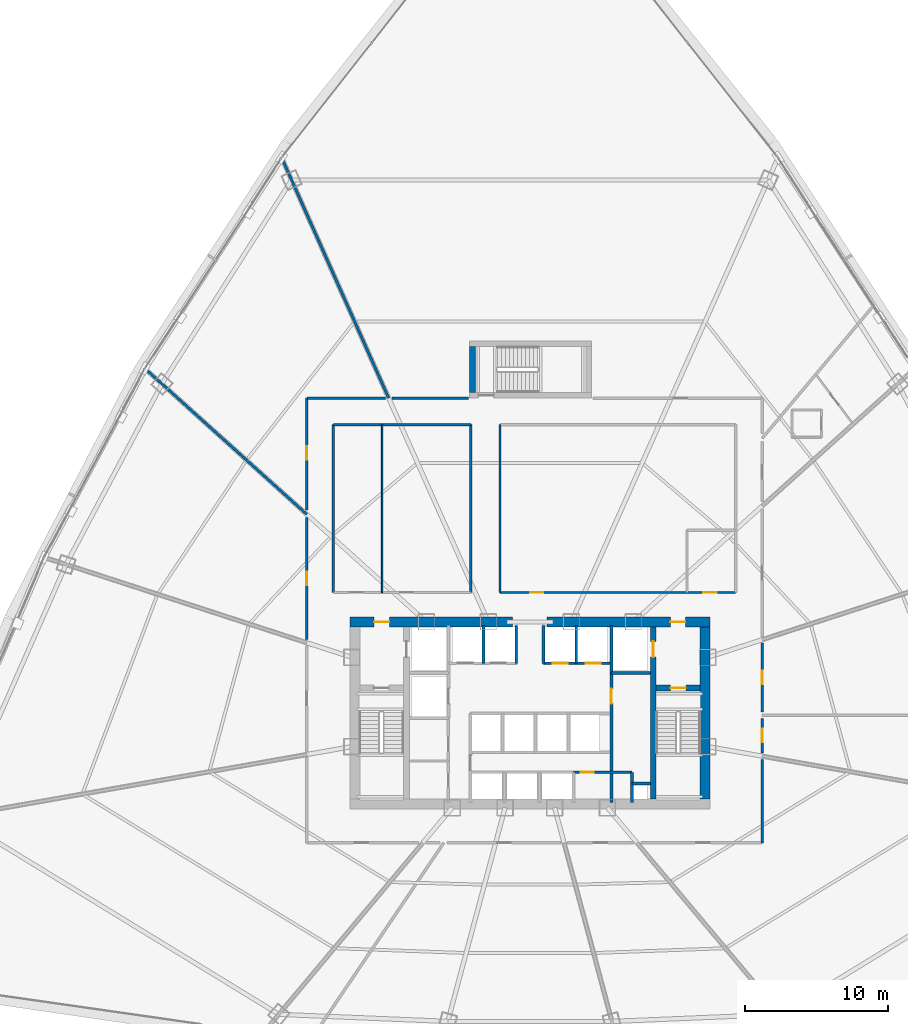
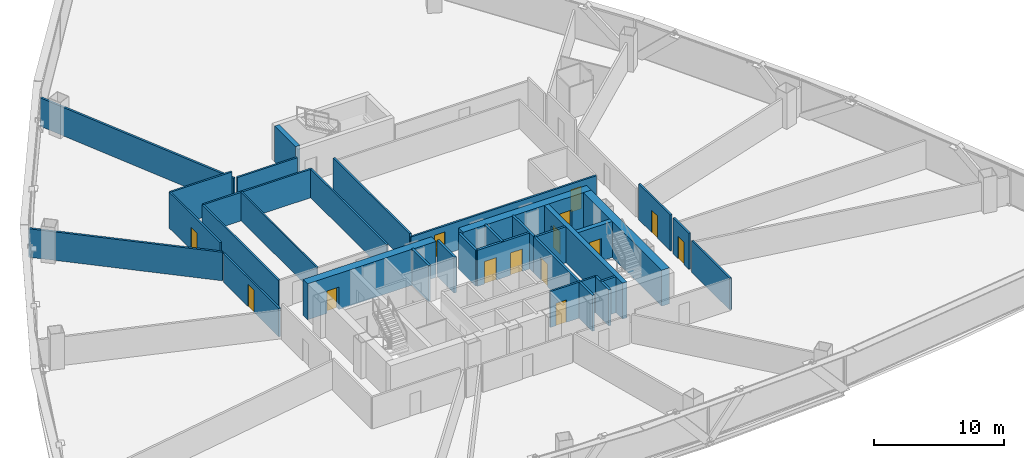
# One storey, part 36 of 42: 32 walls, 14 doors, 14 openings.
"""IFC4 building model written with IfcOpenShell, lengths in metres."""

from ifc_helpers import new_model, si_unit, direction, frame, frame_2d, origin, origin_with_axes, place, context, subcontext, project, spatial, rectangle, extrude, source, transform, mapped, material, layer, layer_set, type_object, element, fill, save


model = new_model("IFC4")

# Units and contexts
model_context = context("Model", 3, precision=1e-05, world=origin(), true_north=direction((0.0, 1.0)))
body_context = subcontext(model_context, "Body", "Model", "MODEL_VIEW")
ifc_project = project(units=[si_unit("LENGTHUNIT", "METRE"), si_unit("AREAUNIT", "SQUARE_METRE"), si_unit("VOLUMEUNIT", "CUBIC_METRE"), si_unit("PLANEANGLEUNIT", "RADIAN"), si_unit("MASSUNIT", "GRAM", prefix="KILO"), si_unit("THERMODYNAMICTEMPERATUREUNIT", "KELVIN"), si_unit("POWERUNIT", "WATT")], contexts=[model_context])

# Site, building, storey
site_placement = place(None, origin())
site = spatial("IfcSite", under=ifc_project, at=site_placement, CompositionType="ELEMENT")
building_placement = place(site_placement, origin())
building = spatial("IfcBuilding", under=site, at=building_placement, Name="Yunzhuo Pagoda Commons", CompositionType="ELEMENT")
storey_placement = place(building_placement, frame((0.0, 0.0, 48.550048828125)))
storey = spatial("IfcBuildingStorey", under=building, at=storey_placement, Name="L12", CompositionType="ELEMENT", Elevation=48.550048828125)

# Wall, opening, door
ifc_material_1 = material(Name="Concrete C60", Category="concrete")
ifc_layer_1 = layer(ifc_material_1, 0.699951171875)
ifc_layer_set_1 = layer_set([ifc_layer_1], Name="Concrete C60")
wall_type_1 = type_object("IfcWallType", Name="W-C01 Lower Core Shear Wall 700", PredefinedType="SHEAR", material=ifc_layer_set_1)
wall_1_placement = place(storey_placement, frame((35.449951171875, 40.199951171875, 0.0), z_axis=(0.0, 0.0, 1.0), x_axis=(1.0, 0.0, 0.0)))
wall_1 = element("IfcWall", 1, at=wall_1_placement, inside=storey, type_object=wall_type_1, Name="L12 core shear wall NW", PredefinedType="SHEAR", context=body_context, shape_type="SweptSolid", body=[
    extrude(rectangle(XDim=11.35009765625, YDim=0.699951171875, at=frame_2d((5.675048828125, 0.0))), origin(), (0.0, 0.0, 1.0), 3.369873046875),
])
opening_1_placement = place(wall_1_placement, frame((1.699951171875, 0.0, 0.0)))
opening_1 = element("IfcOpeningElement", 2, at=opening_1_placement, cuts=wall_1, Name="Opening D-02", PredefinedType="OPENING", context=body_context, shape_type="SweptSolid", body=[
    extrude(rectangle(XDim=1.050048828125, YDim=2.10009765625, at=frame_2d((0.52490234375, 1.050048828125))), frame((0.0, 0.35986328125, 0.0), z_axis=(0.0, -1.0, 0.0), x_axis=(1.0, 0.0, 0.0)), (0.0, 0.0, 1.0), 0.719970703125),
])
ifc_material_2 = material(Name="Galvanized fire-resisting metal leaf")
door_type_1 = type_object("IfcDoorType", Name="D-02 Firefighting Lobby & Refuge Fire Door 1050x2100", OperationType="NOTDEFINED", PredefinedType="DOOR", material=ifc_material_2)
shared_shape_1 = source(origin(), body_context, "Body", "SweptSolid", [
    extrude(rectangle(XDim=1.050048828125, YDim=2.10009765625, at=frame_2d((0.52490234375, 1.050048828125))), frame((0.0, 0.02490234375, 0.0), z_axis=(0.0, -1.0, 0.0), x_axis=(1.0, 0.0, 0.0)), (0.0, 0.0, 1.0), 0.050048828125),
])
door_1_placement = place(opening_1_placement, frame((1.050048828125, 0.0, 0.0), z_axis=(0.0, 0.0, 1.0), x_axis=(-1.0, 0.0, 0.0)))
door_1 = element("IfcDoor", 3, at=door_1_placement, inside=storey, type_object=door_type_1, Name="L12 Firefighting Lobby 1 fire door", OperationType="SINGLE_SWING_LEFT", OverallHeight=2.10009765625, OverallWidth=1.050048828125, PredefinedType="DOOR", context=body_context, shape_type="MappedRepresentation", body=[
    mapped(shared_shape_1, transform((0.0, 0.0, 0.0), scale=1.0)),
])
fill(opening_1, door_1)

wall_2_placement = place(storey_placement, frame((49.199951171875, 40.199951171875, 0.0), z_axis=(0.0, 0.0, 1.0), x_axis=(1.0, 0.0, 0.0)))
wall_2 = element("IfcWall", 4, at=wall_2_placement, inside=storey, type_object=wall_type_1, Name="L12 core shear wall NE", PredefinedType="SHEAR", context=body_context, shape_type="SweptSolid", body=[
    extrude(rectangle(XDim=11.35009765625, YDim=0.699951171875, at=frame_2d((5.675048828125, 0.0))), origin(), (0.0, 0.0, 1.0), 3.369873046875),
])
opening_2_placement = place(wall_2_placement, frame((8.60009765625, 0.0, 0.0)))
opening_2 = element("IfcOpeningElement", 5, at=opening_2_placement, cuts=wall_2, Name="Opening D-02", PredefinedType="OPENING", context=body_context, shape_type="SweptSolid", body=[
    extrude(rectangle(XDim=1.050048828125, YDim=2.10009765625, at=frame_2d((0.52490234375, 1.050048828125))), frame((0.0, 0.35986328125, 0.0), z_axis=(0.0, -1.0, 0.0), x_axis=(1.0, 0.0, 0.0)), (0.0, 0.0, 1.0), 0.719970703125),
])
door_2_placement = place(opening_2_placement, frame((1.050048828125, 0.0, 0.0), z_axis=(0.0, 0.0, 1.0), x_axis=(-1.0, 0.0, 0.0)))
door_2 = element("IfcDoor", 6, at=door_2_placement, inside=storey, type_object=door_type_1, Name="L12 Firefighting Lobby 2 fire door", OperationType="SINGLE_SWING_RIGHT", OverallHeight=2.10009765625, OverallWidth=1.050048828125, PredefinedType="DOOR", context=body_context, shape_type="MappedRepresentation", body=[
    mapped(shared_shape_1, transform((0.0, 0.0, 0.0), scale=1.0)),
])
fill(opening_2, door_2)

# Wall
wall_3_placement = place(storey_placement, frame((60.199951171875, 27.85009765625, 0.0), z_axis=(0.0, 0.0, 1.0), x_axis=(0.0, 1.0, 0.0)))
element("IfcWall", 7, at=wall_3_placement, inside=storey, type_object=wall_type_1, Name="L12 core shear wall E", PredefinedType="SHEAR", context=body_context, shape_type="SweptSolid", body=[
    extrude(rectangle(XDim=12.0, YDim=0.699951171875, at=frame_2d((6.0, 0.0))), origin(), (0.0, 0.0, 1.0), 3.369873046875),
])

# Wall, opening, door
ifc_material_3 = material(Name="Gypsum plasterboard on acoustic stud")
ifc_layer_2 = layer(ifc_material_3, 0.159912109375)
ifc_layer_set_2 = layer_set([ifc_layer_2], Name="Gypsum plasterboard on acoustic stud")
wall_type_2 = type_object("IfcWallType", Name="W-COR1 Tower Rated Corridor Wall 160", PredefinedType="PARTITIONING", material=ifc_layer_set_2)
wall_4_placement = place(storey_placement, frame((51.050048828125, 29.719970703125, 0.0), z_axis=(0.0, 0.0, 1.0), x_axis=(1.0, 0.0, 0.0)))
wall_4 = element("IfcWall", 8, at=wall_4_placement, inside=storey, type_object=wall_type_2, Name="L12 interior wall IW-L12-CSES", PredefinedType="PARTITIONING", context=body_context, shape_type="SweptSolid", body=[
    extrude(rectangle(XDim=4.070068359375, YDim=0.159912109375, at=frame_2d((2.03515625, 0.0))), origin(), (0.0, 0.0, 1.0), 3.369873046875),
])
opening_3_placement = place(wall_4_placement, frame((0.5, 0.0, 0.0)))
opening_3 = element("IfcOpeningElement", 9, at=opening_3_placement, cuts=wall_4, Name="Opening D-03", PredefinedType="OPENING", context=body_context, shape_type="SweptSolid", body=[
    extrude(rectangle(XDim=0.89990234375, YDim=2.10009765625, at=frame_2d((0.449951171875, 1.050048828125))), frame((0.0, 0.08984375, 0.0), z_axis=(0.0, -1.0, 0.0), x_axis=(1.0, 0.0, 0.0)), (0.0, 0.0, 1.0), 0.179931640625),
])
door_type_2 = type_object("IfcDoorType", Name="D-03 Core Service Fire Door 900x2100", OperationType="NOTDEFINED", PredefinedType="DOOR", material=ifc_material_2)
shared_shape_2 = source(origin(), body_context, "Body", "SweptSolid", [
    extrude(rectangle(XDim=0.89990234375, YDim=2.10009765625, at=frame_2d((0.449951171875, 1.050048828125))), frame((0.0, 0.02490234375, 0.0), z_axis=(0.0, -1.0, 0.0), x_axis=(1.0, 0.0, 0.0)), (0.0, 0.0, 1.0), 0.050048828125),
])
door_3_placement = place(opening_3_placement, origin_with_axes())
door_3 = element("IfcDoor", 10, at=door_3_placement, inside=storey, type_object=door_type_2, Name="L12 IT closet door", OperationType="SINGLE_SWING_LEFT", OverallHeight=2.10009765625, OverallWidth=0.89990234375, PredefinedType="DOOR", context=body_context, shape_type="MappedRepresentation", body=[
    mapped(shared_shape_2, transform((0.0, 0.0, 0.0), scale=1.0)),
])
fill(opening_3, door_3)

# Walls
wall_5_placement = place(storey_placement, frame((34.300048828125, 53.949951171875, 0.0), z_axis=(0.0, 0.0, 1.0), x_axis=(1.0, 0.0, 0.0)))
element("IfcWall", 11, at=wall_5_placement, inside=storey, type_object=wall_type_2, Name="L12 interior wall IW-L12-ISLWN", PredefinedType="PARTITIONING", context=body_context, shape_type="SweptSolid", body=[
    extrude(rectangle(XDim=9.579833984375, YDim=0.159912109375, at=frame_2d((4.7900390625, 0.0))), origin(), (0.0, 0.0, 1.0), 2.669921875),
])
for number, where, z_axis, x_axis, name in (
    (12, (34.300048828125, 42.25, 0.0), (0.0, 0.0, 1.0), (0.0, 1.0, 0.0), "L12 interior wall IW-L12-ISLWW"),
    (13, (43.8798828125, 42.25, 0.0), (0.0, 0.0, 1.0), (0.0, 1.0, 0.0), "L12 interior wall IW-L12-ISLWE"),
):
    element("IfcWall", number, at=place(storey_placement, frame(where, z_axis=z_axis, x_axis=x_axis)), inside=storey, type_object=wall_type_2, Name=name, PredefinedType="PARTITIONING", context=body_context, shape_type="SweptSolid", body=[
        extrude(rectangle(XDim=11.699951171875, YDim=0.159912109375, at=frame_2d((5.85009765625, 0.0))), origin(), (0.0, 0.0, 1.0), 2.669921875),
    ])

# Wall, openings, doors
wall_6_placement = place(storey_placement, frame((45.919921875, 42.25, 0.0), z_axis=(0.0, 0.0, 1.0), x_axis=(1.0, 0.0, 0.0)))
wall_6 = element("IfcWall", 14, at=wall_6_placement, inside=storey, type_object=wall_type_2, Name="L12 interior wall IW-L12-ISLES", PredefinedType="PARTITIONING", context=body_context, shape_type="SweptSolid", body=[
    extrude(rectangle(XDim=16.43017578125, YDim=0.159912109375, at=frame_2d((8.215087890625, 0.0))), origin(), (0.0, 0.0, 1.0), 2.669921875),
])
opening_4_placement = place(wall_6_placement, frame((2.10009765625, 0.0, 0.0)))
opening_4 = element("IfcOpeningElement", 15, at=opening_4_placement, cuts=wall_6, Name="Opening D-04", PredefinedType="OPENING", context=body_context, shape_type="SweptSolid", body=[
    extrude(rectangle(XDim=0.919921875, YDim=2.10009765625, at=frame_2d((0.4599609375, 1.050048828125))), frame((0.0, 0.08984375, 0.0), z_axis=(0.0, -1.0, 0.0), x_axis=(1.0, 0.0, 0.0)), (0.0, 0.0, 1.0), 0.179931640625),
])
opening_5_placement = place(wall_6_placement, frame((14.179931640625, 0.0, 0.0)))
opening_5 = element("IfcOpeningElement", 16, at=opening_5_placement, cuts=wall_6, Name="Opening D-11", PredefinedType="OPENING", context=body_context, shape_type="SweptSolid", body=[
    extrude(rectangle(XDim=0.93994140625, YDim=2.10009765625, at=frame_2d((0.469970703125, 1.050048828125))), frame((0.0, 0.08984375, 0.0), z_axis=(0.0, -1.0, 0.0), x_axis=(1.0, 0.0, 0.0)), (0.0, 0.0, 1.0), 0.179931640625),
])
door_type_3 = type_object("IfcDoorType", Name="D-11 Accessible Washroom Fire Door 940x2100", OperationType="NOTDEFINED", PredefinedType="DOOR", material=ifc_material_2)
shared_shape_3 = source(origin(), body_context, "Body", "SweptSolid", [
    extrude(rectangle(XDim=0.93994140625, YDim=2.10009765625, at=frame_2d((0.469970703125, 1.050048828125))), frame((0.0, 0.02490234375, 0.0), z_axis=(0.0, -1.0, 0.0), x_axis=(1.0, 0.0, 0.0)), (0.0, 0.0, 1.0), 0.050048828125),
])
door_4_placement = place(opening_5_placement, frame((0.93994140625, 0.0, 0.0), z_axis=(0.0, 0.0, 1.0), x_axis=(-1.0, 0.0, 0.0)))
door_4 = element("IfcDoor", 17, at=door_4_placement, inside=storey, type_object=door_type_3, Name="L12 accessible WC door", OperationType="SINGLE_SWING_RIGHT", OverallHeight=2.10009765625, OverallWidth=0.93994140625, PredefinedType="DOOR", context=body_context, shape_type="MappedRepresentation", body=[
    mapped(shared_shape_3, transform((0.0, 0.0, 0.0), scale=1.0)),
])
fill(opening_5, door_4)
ifc_material_4 = material(Name="Powder-coated aluminium and timber acoustic leaf", Category="wood")
door_type_4 = type_object("IfcDoorType", Name="D-04 Bedroom & Study Interior Door 920x2100", OperationType="NOTDEFINED", PredefinedType="DOOR", material=ifc_material_4)
shared_shape_4 = source(origin(), body_context, "Body", "SweptSolid", [
    extrude(rectangle(XDim=0.919921875, YDim=2.10009765625, at=frame_2d((0.4599609375, 1.050048828125))), frame((0.0, 0.02490234375, 0.0), z_axis=(0.0, -1.0, 0.0), x_axis=(1.0, 0.0, 0.0)), (0.0, 0.0, 1.0), 0.050048828125),
])
door_5_placement = place(opening_4_placement, frame((0.919921875, 0.0, 0.0), z_axis=(0.0, 0.0, 1.0), x_axis=(-1.0, 0.0, 0.0)))
door_5 = element("IfcDoor", 18, at=door_5_placement, inside=storey, type_object=door_type_4, Name="L12 reading commons door", OperationType="SINGLE_SWING_LEFT", OverallHeight=2.10009765625, OverallWidth=0.919921875, PredefinedType="DOOR", context=body_context, shape_type="MappedRepresentation", body=[
    mapped(shared_shape_4, transform((0.0, 0.0, 0.0), scale=1.0)),
])
fill(opening_4, door_5)

# Wall
wall_7_placement = place(storey_placement, frame((45.919921875, 42.25, 0.0), z_axis=(0.0, 0.0, 1.0), x_axis=(0.0, 1.0, 0.0)))
element("IfcWall", 19, at=wall_7_placement, inside=storey, type_object=wall_type_2, Name="L12 interior wall IW-L12-ISLEW", PredefinedType="PARTITIONING", context=body_context, shape_type="SweptSolid", body=[
    extrude(rectangle(XDim=11.699951171875, YDim=0.159912109375, at=frame_2d((5.85009765625, 0.0))), origin(), (0.0, 0.0, 1.0), 2.969970703125),
])

# Wall, opening, door
wall_8_placement = place(storey_placement, frame((32.449951171875, 38.98388671875, 0.0), z_axis=(0.0, 0.0, 1.0), x_axis=(0.0, 1.0, 0.0)))
wall_8 = element("IfcWall", 20, at=wall_8_placement, inside=storey, type_object=wall_type_2, Name="L12 interior wall IW-L12-CWL03", PredefinedType="PARTITIONING", context=body_context, shape_type="SweptSolid", body=[
    extrude(rectangle(XDim=8.497802734375, YDim=0.159912109375, at=frame_2d((4.2490234375, 0.0))), origin(), (0.0, 0.0, 1.0), 2.669921875),
])
opening_6_placement = place(wall_8_placement, frame((3.76806640625, 0.0, 0.0)))
opening_6 = element("IfcOpeningElement", 21, at=opening_6_placement, cuts=wall_8, Name="Opening D-06", PredefinedType="OPENING", context=body_context, shape_type="SweptSolid", body=[
    extrude(rectangle(XDim=0.949951171875, YDim=2.10009765625, at=frame_2d((0.47509765625, 1.050048828125))), frame((0.0, 0.08984375, 0.0), z_axis=(0.0, -1.0, 0.0), x_axis=(1.0, 0.0, 0.0)), (0.0, 0.0, 1.0), 0.179931640625),
])
door_type_5 = type_object("IfcDoorType", Name="D-06 Co-Living Suite Entrance Fire Door 950x2100", OperationType="NOTDEFINED", PredefinedType="DOOR", material=ifc_material_2)
shared_shape_5 = source(origin(), body_context, "Body", "SweptSolid", [
    extrude(rectangle(XDim=0.949951171875, YDim=2.10009765625, at=frame_2d((0.47509765625, 1.050048828125))), frame((0.0, 0.02490234375, 0.0), z_axis=(0.0, -1.0, 0.0), x_axis=(1.0, 0.0, 0.0)), (0.0, 0.0, 1.0), 0.050048828125),
])
door_6_placement = place(opening_6_placement, origin_with_axes())
door_6 = element("IfcDoor", 22, at=door_6_placement, inside=storey, type_object=door_type_5, Name="L12 unit 06 entrance door", OperationType="SINGLE_SWING_LEFT", OverallHeight=2.10009765625, OverallWidth=0.949951171875, PredefinedType="DOOR", context=body_context, shape_type="MappedRepresentation", body=[
    mapped(shared_shape_5, transform((0.0, 0.0, 0.0), scale=1.0)),
])
fill(opening_6, door_6)

wall_9_placement = place(storey_placement, frame((32.449951171875, 47.997314453125, 0.0), z_axis=(0.0, 0.0, 1.0), x_axis=(0.0, 1.0, 0.0)))
wall_9 = element("IfcWall", 23, at=wall_9_placement, inside=storey, type_object=wall_type_2, Name="L12 interior wall IW-L12-CWL04", PredefinedType="PARTITIONING", context=body_context, shape_type="SweptSolid", body=[
    extrude(rectangle(XDim=7.802734375, YDim=0.159912109375, at=frame_2d((3.9013671875, 0.0))), origin(), (0.0, 0.0, 1.0), 3.369873046875),
])
opening_7_placement = place(wall_9_placement, frame((3.50830078125, 0.0, 0.0)))
opening_7 = element("IfcOpeningElement", 24, at=opening_7_placement, cuts=wall_9, Name="Opening D-06", PredefinedType="OPENING", context=body_context, shape_type="SweptSolid", body=[
    extrude(rectangle(XDim=0.949951171875, YDim=2.10009765625, at=frame_2d((0.47509765625, 1.050048828125))), frame((0.0, 0.08984375, 0.0), z_axis=(0.0, -1.0, 0.0), x_axis=(1.0, 0.0, 0.0)), (0.0, 0.0, 1.0), 0.179931640625),
])
door_7_placement = place(opening_7_placement, origin_with_axes())
door_7 = element("IfcDoor", 25, at=door_7_placement, inside=storey, type_object=door_type_5, Name="L12 unit 05 entrance door", OperationType="SINGLE_SWING_RIGHT", OverallHeight=2.10009765625, OverallWidth=0.949951171875, PredefinedType="DOOR", context=body_context, shape_type="MappedRepresentation", body=[
    mapped(shared_shape_5, transform((0.0, 0.0, 0.0), scale=1.0)),
])
fill(opening_7, door_7)

# Walls
wall_10_placement = place(storey_placement, frame((32.449951171875, 55.800048828125, 0.0), z_axis=(0.0, 0.0, 1.0), x_axis=(1.0, 0.0, 0.0)))
element("IfcWall", 26, at=wall_10_placement, inside=storey, type_object=wall_type_2, Name="L12 interior wall IW-L12-CWL05", PredefinedType="PARTITIONING", context=body_context, shape_type="SweptSolid", body=[
    extrude(rectangle(XDim=5.4697265625, YDim=0.159912109375, at=frame_2d((2.73486328125, 0.0))), origin(), (0.0, 0.0, 1.0), 3.369873046875),
])
wall_11_placement = place(storey_placement, frame((38.380126953125, 55.800048828125, 0.0), z_axis=(0.0, 0.0, 1.0), x_axis=(1.0, 0.0, 0.0)))
element("IfcWall", 27, at=wall_11_placement, inside=storey, type_object=wall_type_2, Name="L12 interior wall IW-L12-CWL06", PredefinedType="PARTITIONING", context=body_context, shape_type="SweptSolid", body=[
    extrude(rectangle(XDim=5.328857421875, YDim=0.159912109375, at=frame_2d((2.66455078125, 0.0))), origin(), (0.0, 0.0, 1.0), 2.669921875),
])

# Wall, opening, door
wall_12_placement = place(storey_placement, frame((64.199951171875, 38.743896484375, 0.0), z_axis=(0.0, 0.0, 1.0), x_axis=(0.0, -1.0, 0.0)))
wall_12 = element("IfcWall", 28, at=wall_12_placement, inside=storey, type_object=wall_type_2, Name="L12 interior wall IW-L12-CWL11", PredefinedType="PARTITIONING", context=body_context, shape_type="SweptSolid", body=[
    extrude(rectangle(XDim=4.823974609375, YDim=0.159912109375, at=frame_2d((2.412109375, 0.0))), origin(), (0.0, 0.0, 1.0), 3.369873046875),
])
opening_8_placement = place(wall_12_placement, frame((1.951904296875, 0.0, 0.0)))
opening_8 = element("IfcOpeningElement", 29, at=opening_8_placement, cuts=wall_12, Name="Opening D-04", PredefinedType="OPENING", context=body_context, shape_type="SweptSolid", body=[
    extrude(rectangle(XDim=0.919921875, YDim=2.10009765625, at=frame_2d((0.4599609375, 1.050048828125))), frame((0.0, 0.08984375, 0.0), z_axis=(0.0, -1.0, 0.0), x_axis=(1.0, 0.0, 0.0)), (0.0, 0.0, 1.0), 0.179931640625),
])
door_8_placement = place(opening_8_placement, origin_with_axes())
door_8 = element("IfcDoor", 30, at=door_8_placement, inside=storey, type_object=door_type_4, Name="L12 seminar room 01 door", OperationType="SINGLE_SWING_RIGHT", OverallHeight=2.10009765625, OverallWidth=0.919921875, PredefinedType="DOOR", context=body_context, shape_type="MappedRepresentation", body=[
    mapped(shared_shape_4, transform((0.0, 0.0, 0.0), scale=1.0)),
])
fill(opening_8, door_8)

wall_13_placement = place(storey_placement, frame((64.199951171875, 33.47998046875, 0.0), z_axis=(0.0, 0.0, 1.0), x_axis=(0.0, -1.0, 0.0)))
wall_13 = element("IfcWall", 31, at=wall_13_placement, inside=storey, type_object=wall_type_2, Name="L12 interior wall IW-L12-CWL12", PredefinedType="PARTITIONING", context=body_context, shape_type="SweptSolid", body=[
    extrude(rectangle(XDim=2.416748046875, YDim=0.159912109375, at=frame_2d((1.20849609375, 0.0))), origin(), (0.0, 0.0, 1.0), 3.369873046875),
])
opening_9_placement = place(wall_13_placement, frame((0.733154296875, 0.0, 0.0)))
opening_9 = element("IfcOpeningElement", 32, at=opening_9_placement, cuts=wall_13, Name="Opening D-06", PredefinedType="OPENING", context=body_context, shape_type="SweptSolid", body=[
    extrude(rectangle(XDim=0.949951171875, YDim=2.10009765625, at=frame_2d((0.47509765625, 1.050048828125))), frame((0.0, 0.08984375, 0.0), z_axis=(0.0, -1.0, 0.0), x_axis=(1.0, 0.0, 0.0)), (0.0, 0.0, 1.0), 0.179931640625),
])
door_9_placement = place(opening_9_placement, origin_with_axes())
door_9 = element("IfcDoor", 33, at=door_9_placement, inside=storey, type_object=door_type_5, Name="L12 unit 13 entrance door", OperationType="SINGLE_SWING_RIGHT", OverallHeight=2.10009765625, OverallWidth=0.949951171875, PredefinedType="DOOR", context=body_context, shape_type="MappedRepresentation", body=[
    mapped(shared_shape_5, transform((0.0, 0.0, 0.0), scale=1.0)),
])
fill(opening_9, door_9)

# Walls
wall_14_placement = place(storey_placement, frame((64.199951171875, 30.6201171875, 0.0), z_axis=(0.0, 0.0, 1.0), x_axis=(0.0, -1.0, 0.0)))
element("IfcWall", 34, at=wall_14_placement, inside=storey, type_object=wall_type_2, Name="L12 interior wall IW-L12-CWL13", PredefinedType="PARTITIONING", context=body_context, shape_type="SweptSolid", body=[
    extrude(rectangle(XDim=5.820068359375, YDim=0.159912109375, at=frame_2d((2.91015625, 0.0))), origin(), (0.0, 0.0, 1.0), 2.969970703125),
])
ifc_layer_3 = layer(ifc_material_3, 0.1201171875)
ifc_layer_set_3 = layer_set([ifc_layer_3], Name="Gypsum plasterboard on acoustic stud")
wall_type_3 = type_object("IfcWallType", Name="W-PRT1 Suite & Bathroom Partition 120", PredefinedType="PARTITIONING", material=ifc_layer_set_3)
wall_15_placement = place(storey_placement, frame((37.699951171875, 42.25, 0.0), z_axis=(0.0, 0.0, 1.0), x_axis=(0.0, 1.0, 0.0)))
element("IfcWall", 35, at=wall_15_placement, inside=storey, type_object=wall_type_3, Name="L12 interior wall IW-L12-ISLW1", PredefinedType="PARTITIONING", context=body_context, shape_type="SweptSolid", body=[
    extrude(rectangle(XDim=11.699951171875, YDim=0.1201171875, at=frame_2d((5.85009765625, 0.0))), origin(), (0.0, 0.0, 1.0), 2.669921875),
])
ifc_layer_4 = layer(ifc_material_3, 0.179931640625)
ifc_layer_set_4 = layer_set([ifc_layer_4], Name="Gypsum plasterboard on acoustic stud")
wall_type_4 = type_object("IfcWallType", Name="W-PRT2 Acoustic Unit Demising Wall 180", PredefinedType="PARTITIONING", material=ifc_layer_set_4)
wall_16_placement = place(storey_placement, frame((38.160400390625, 55.800048828125, 0.0), z_axis=(0.0, 0.0, 1.0), x_axis=(-0.406730734994, 0.913548088067, 0.0)))
element("IfcWall", 36, at=wall_16_placement, inside=storey, type_object=wall_type_4, Name="L12 interior wall IW-L12-RAD05", PredefinedType="PARTITIONING", context=body_context, shape_type="SweptSolid", body=[
    extrude(rectangle(XDim=18.355712890625, YDim=0.179931640625, at=frame_2d((9.177734375, 0.0))), origin(), (0.0, 0.0, 1.0), 2.669921875),
])
wall_17_placement = place(storey_placement, frame((32.449951171875, 47.701416015625, 0.0), z_axis=(0.0, 0.0, 1.0), x_axis=(-0.743155181141, 0.66911910505, 0.0)))
element("IfcWall", 37, at=wall_17_placement, inside=storey, type_object=wall_type_4, Name="L12 interior wall IW-L12-RAD06", PredefinedType="PARTITIONING", context=body_context, shape_type="SweptSolid", body=[
    extrude(rectangle(XDim=15.201904296875, YDim=0.179931640625, at=frame_2d((7.60107421875, 0.0))), origin(), (0.0, 0.0, 1.0), 2.669921875),
])

# Wall, opening, door
ifc_layer_5 = layer(ifc_material_1, 0.39990234375)
ifc_layer_set_5 = layer_set([ifc_layer_5], Name="Concrete C60")
wall_type_5 = type_object("IfcWallType", Name="W-S01 Internal Core Shear Web 400", PredefinedType="SHEAR", material=ifc_layer_set_5)
wall_18_placement = place(storey_placement, frame((56.60009765625, 27.85009765625, 0.0), z_axis=(0.0, 0.0, 1.0), x_axis=(0.0, 1.0, 0.0)))
wall_18 = element("IfcWall", 38, at=wall_18_placement, inside=storey, type_object=wall_type_5, Name="L12 core shear wall WEBE", PredefinedType="SHEAR", context=body_context, shape_type="SweptSolid", body=[
    extrude(rectangle(XDim=12.0, YDim=0.39990234375, at=frame_2d((6.0, 0.0))), origin(), (0.0, 0.0, 1.0), 3.369873046875),
])
opening_10_placement = place(wall_18_placement, frame((9.89990234375, 0.0, 0.0)))
opening_10 = element("IfcOpeningElement", 39, at=opening_10_placement, cuts=wall_18, Name="Opening LD-01", PredefinedType="OPENING", context=body_context, shape_type="SweptSolid", body=[
    extrude(rectangle(XDim=1.10009765625, YDim=2.10009765625, at=frame_2d((0.550048828125, 1.050048828125))), frame((0.0, 0.2099609375, 0.0), z_axis=(0.0, -1.0, 0.0), x_axis=(1.0, 0.0, 0.0)), (0.0, 0.0, 1.0), 0.419921875),
])
door_type_6 = type_object("IfcDoorType", Name="LD-01 Firefighting Lift Landing Door 1100x2100", OperationType="DOUBLE_DOOR_SLIDING", PredefinedType="DOOR", material=ifc_material_2)
shared_shape_6 = source(origin(), body_context, "Body", "SweptSolid", [
    extrude(rectangle(XDim=1.10009765625, YDim=2.10009765625, at=frame_2d((0.550048828125, 1.050048828125))), frame((0.0, 0.02490234375, 0.0), z_axis=(0.0, -1.0, 0.0), x_axis=(1.0, 0.0, 0.0)), (0.0, 0.0, 1.0), 0.050048828125),
])
door_10_placement = place(opening_10_placement, origin_with_axes())
door_10 = element("IfcDoor", 40, at=door_10_placement, inside=storey, type_object=door_type_6, Name="L12 Firefighting lift FL-2 landing door", OperationType="DOUBLE_DOOR_SLIDING", OverallHeight=2.10009765625, OverallWidth=1.10009765625, PredefinedType="DOOR", context=body_context, shape_type="MappedRepresentation", body=[
    mapped(shared_shape_6, transform((0.0, 0.0, 0.0), scale=1.0)),
])
fill(opening_10, door_10)

wall_19_placement = place(storey_placement, frame((56.800048828125, 35.60009765625, 0.0), z_axis=(0.0, 0.0, 1.0), x_axis=(1.0, 0.0, 0.0)))
wall_19 = element("IfcWall", 41, at=wall_19_placement, inside=storey, type_object=wall_type_5, Name="L12 core shear wall STE", PredefinedType="SHEAR", context=body_context, shape_type="SweptSolid", body=[
    extrude(rectangle(XDim=3.050048828125, YDim=0.39990234375, at=frame_2d((1.52490234375, 0.0))), origin(), (0.0, 0.0, 1.0), 3.369873046875),
])
opening_11_placement = place(wall_19_placement, frame((1.02001953125, 0.0, 0.0)))
opening_11 = element("IfcOpeningElement", 42, at=opening_11_placement, cuts=wall_19, Name="Opening D-01", PredefinedType="OPENING", context=body_context, shape_type="SweptSolid", body=[
    extrude(rectangle(XDim=1.050048828125, YDim=2.10009765625, at=frame_2d((0.52490234375, 1.050048828125))), frame((0.0, 0.2099609375, 0.0), z_axis=(0.0, -1.0, 0.0), x_axis=(1.0, 0.0, 0.0)), (0.0, 0.0, 1.0), 0.419921875),
])
door_type_7 = type_object("IfcDoorType", Name="D-01 Smokeproof Stair Fire Door 1050x2100", OperationType="NOTDEFINED", PredefinedType="DOOR", material=ifc_material_2)
door_11_placement = place(opening_11_placement, frame((1.050048828125, 0.0, 0.0), z_axis=(0.0, 0.0, 1.0), x_axis=(-1.0, 0.0, 0.0)))
door_11 = element("IfcDoor", 43, at=door_11_placement, inside=storey, type_object=door_type_7, Name="L12 Stair ST2 fire door", OperationType="SINGLE_SWING_RIGHT", OverallHeight=2.10009765625, OverallWidth=1.050048828125, PredefinedType="DOOR", context=body_context, shape_type="MappedRepresentation", body=[
    mapped(shared_shape_1, transform((0.0, 0.0, 0.0), scale=1.0)),
])
fill(opening_11, door_11)

# Walls
wall_20_placement = place(storey_placement, frame((44.0, 56.199951171875, 0.0), z_axis=(0.0, 0.0, 1.0), x_axis=(0.0, 1.0, 0.0)))
element("IfcWall", 44, at=wall_20_placement, inside=storey, type_object=wall_type_5, Name="L12 ST3 structural stair wall W", PredefinedType="SHEAR", context=body_context, shape_type="SweptSolid", body=[
    extrude(rectangle(XDim=3.199951171875, YDim=0.39990234375, at=frame_2d((1.60009765625, 0.0))), origin(), (0.0, 0.0, 1.0), 3.369873046875),
])
ifc_material_5 = material(Name="Concrete C40", Category="concrete")
ifc_layer_6 = layer(ifc_material_5, 0.199951171875)
ifc_layer_set_6 = layer_set([ifc_layer_6], Name="Concrete C40")
wall_type_6 = type_object("IfcWallType", Name="W-SHF Shaft & Stair Enclosure Wall 200", PredefinedType="SOLIDWALL", material=ifc_layer_set_6)
wall_21_placement = place(storey_placement, frame((53.679931640625, 36.64990234375, 0.0), z_axis=(0.0, 0.0, 1.0), x_axis=(0.0, 1.0, 0.0)))
element("IfcWall", 45, at=wall_21_placement, inside=storey, type_object=wall_type_6, Name="L12 interior wall IW-L12-FL2W", PredefinedType="SOLIDWALL", context=body_context, shape_type="SweptSolid", body=[
    extrude(rectangle(XDim=3.300048828125, YDim=0.199951171875, at=frame_2d((1.64990234375, 0.0))), origin(), (0.0, 0.0, 1.0), 3.369873046875),
])
wall_22_placement = place(storey_placement, frame((53.679931640625, 36.64990234375, 0.0), z_axis=(0.0, 0.0, 1.0), x_axis=(1.0, 0.0, 0.0)))
element("IfcWall", 46, at=wall_22_placement, inside=storey, type_object=wall_type_6, Name="L12 interior wall IW-L12-FL2S", PredefinedType="SOLIDWALL", context=body_context, shape_type="SweptSolid", body=[
    extrude(rectangle(XDim=2.719970703125, YDim=0.199951171875, at=frame_2d((1.35986328125, 0.0))), origin(), (0.0, 0.0, 1.0), 3.369873046875),
])

# Wall, openings, doors
wall_23_placement = place(storey_placement, frame((48.949951171875, 37.320068359375, 0.0), z_axis=(0.0, 0.0, 1.0), x_axis=(1.0, 0.0, 0.0)))
wall_23 = element("IfcWall", 47, at=wall_23_placement, inside=storey, type_object=wall_type_6, Name="L12 interior wall IW-L12-LBNE", PredefinedType="SOLIDWALL", context=body_context, shape_type="SweptSolid", body=[
    extrude(rectangle(XDim=4.72998046875, YDim=0.199951171875, at=frame_2d((2.364990234375, 0.0))), origin(), (0.0, 0.0, 1.0), 3.369873046875),
])
opening_12_placement = place(wall_23_placement, frame((0.64990234375, 0.0, 0.0)))
opening_12 = element("IfcOpeningElement", 48, at=opening_12_placement, cuts=wall_23, Name="Opening LD-02", PredefinedType="OPENING", context=body_context, shape_type="SweptSolid", body=[
    extrude(rectangle(XDim=1.050048828125, YDim=2.10009765625, at=frame_2d((0.52490234375, 1.050048828125))), frame((0.0, 0.10986328125, 0.0), z_axis=(0.0, -1.0, 0.0), x_axis=(1.0, 0.0, 0.0)), (0.0, 0.0, 1.0), 0.219970703125),
])
opening_13_placement = place(wall_23_placement, frame((2.949951171875, 0.0, 0.0)))
opening_13 = element("IfcOpeningElement", 49, at=opening_13_placement, cuts=wall_23, Name="Opening LD-02", PredefinedType="OPENING", context=body_context, shape_type="SweptSolid", body=[
    extrude(rectangle(XDim=1.050048828125, YDim=2.10009765625, at=frame_2d((0.52490234375, 1.050048828125))), frame((0.0, 0.10986328125, 0.0), z_axis=(0.0, -1.0, 0.0), x_axis=(1.0, 0.0, 0.0)), (0.0, 0.0, 1.0), 0.219970703125),
])
door_type_8 = type_object("IfcDoorType", Name="LD-02 Passenger Lift Landing Door 1050x2100", OperationType="DOUBLE_DOOR_SLIDING", PredefinedType="DOOR", material=ifc_material_2)
door_12_placement = place(opening_12_placement, frame((1.050048828125, 0.0, 0.0), z_axis=(0.0, 0.0, 1.0), x_axis=(-1.0, 0.0, 0.0)))
door_12 = element("IfcDoor", 50, at=door_12_placement, inside=storey, type_object=door_type_8, Name="L12 Passenger lift PL-L3 landing door", OperationType="DOUBLE_DOOR_SLIDING", OverallHeight=2.10009765625, OverallWidth=1.050048828125, PredefinedType="DOOR", context=body_context, shape_type="MappedRepresentation", body=[
    mapped(shared_shape_1, transform((0.0, 0.0, 0.0), scale=1.0)),
])
fill(opening_12, door_12)
door_13_placement = place(opening_13_placement, frame((1.050048828125, 0.0, 0.0), z_axis=(0.0, 0.0, 1.0), x_axis=(-1.0, 0.0, 0.0)))
door_13 = element("IfcDoor", 51, at=door_13_placement, inside=storey, type_object=door_type_8, Name="L12 Passenger lift PL-L4 landing door", OperationType="DOUBLE_DOOR_SLIDING", OverallHeight=2.10009765625, OverallWidth=1.050048828125, PredefinedType="DOOR", context=body_context, shape_type="MappedRepresentation", body=[
    mapped(shared_shape_1, transform((0.0, 0.0, 0.0), scale=1.0)),
])
fill(opening_13, door_13)

# Walls
for number, where, z_axis, x_axis, name in (
    (52, (47.050048828125, 37.320068359375, 0.0), (0.0, 0.0, 1.0), (0.0, 1.0, 0.0), "L12 interior wall IW-L12-THRW"),
    (53, (48.949951171875, 37.320068359375, 0.0), (0.0, 0.0, 1.0), (0.0, 1.0, 0.0), "L12 interior wall IW-L12-THRE"),
    (54, (44.77001953125, 37.320068359375, 0.0), (0.0, 0.0, 1.0), (0.0, 1.0, 0.0), "L12 interior wall IW-L12-PLL12"),
    (55, (51.22998046875, 37.320068359375, 0.0), (0.0, 0.0, 1.0), (0.0, 1.0, 0.0), "L12 interior wall IW-L12-PLL34"),
):
    element("IfcWall", number, at=place(storey_placement, frame(where, z_axis=z_axis, x_axis=x_axis)), inside=storey, type_object=wall_type_6, Name=name, PredefinedType="SOLIDWALL", context=body_context, shape_type="SweptSolid", body=[
        extrude(rectangle(XDim=2.6298828125, YDim=0.199951171875, at=frame_2d((1.31494140625, 0.0))), origin(), (0.0, 0.0, 1.0), 3.369873046875),
    ])

# Wall, opening, door
wall_24_placement = place(storey_placement, frame((53.679931640625, 27.60009765625, 0.0), z_axis=(0.0, 0.0, 1.0), x_axis=(0.0, 1.0, 0.0)))
wall_24 = element("IfcWall", 56, at=wall_24_placement, inside=storey, type_object=wall_type_6, Name="L12 interior wall IW-L12-PLME", PredefinedType="SOLIDWALL", context=body_context, shape_type="SweptSolid", body=[
    extrude(rectangle(XDim=9.0498046875, YDim=0.199951171875, at=frame_2d((4.52490234375, 0.0))), origin(), (0.0, 0.0, 1.0), 3.369873046875),
])
opening_14_placement = place(wall_24_placement, frame((6.89990234375, 0.0, 0.0)))
opening_14 = element("IfcOpeningElement", 57, at=opening_14_placement, cuts=wall_24, Name="Opening D-02", PredefinedType="OPENING", context=body_context, shape_type="SweptSolid", body=[
    extrude(rectangle(XDim=1.050048828125, YDim=2.10009765625, at=frame_2d((0.52490234375, 1.050048828125))), frame((0.0, 0.10986328125, 0.0), z_axis=(0.0, -1.0, 0.0), x_axis=(1.0, 0.0, 0.0)), (0.0, 0.0, 1.0), 0.219970703125),
])
door_14_placement = place(opening_14_placement, origin_with_axes())
door_14 = element("IfcDoor", 58, at=door_14_placement, inside=storey, type_object=door_type_1, Name="L12 High-bank lift hall door", OperationType="SINGLE_SWING_RIGHT", OverallHeight=2.10009765625, OverallWidth=1.050048828125, PredefinedType="DOOR", context=body_context, shape_type="MappedRepresentation", body=[
    mapped(shared_shape_1, transform((0.0, 0.0, 0.0), scale=1.0)),
])
fill(opening_14, door_14)

# Walls
wall_25_placement = place(storey_placement, frame((55.1201171875, 27.60009765625, 0.0), z_axis=(0.0, 0.0, 1.0), x_axis=(0.0, 1.0, 0.0)))
element("IfcWall", 59, at=wall_25_placement, inside=storey, type_object=wall_type_6, Name="L12 interior wall IW-L12-RSHFW", PredefinedType="SOLIDWALL", context=body_context, shape_type="SweptSolid", body=[
    extrude(rectangle(XDim=2.119873046875, YDim=0.199951171875, at=frame_2d((1.06005859375, 0.0))), origin(), (0.0, 0.0, 1.0), 3.369873046875),
])
wall_26_placement = place(storey_placement, frame((55.1201171875, 28.949951171875, 0.0), z_axis=(0.0, 0.0, 1.0), x_axis=(1.0, 0.0, 0.0)))
element("IfcWall", 60, at=wall_26_placement, inside=storey, type_object=wall_type_6, Name="L12 interior wall IW-L12-RSHFN", PredefinedType="SOLIDWALL", context=body_context, shape_type="SweptSolid", body=[
    extrude(rectangle(XDim=1.27978515625, YDim=0.199951171875, at=frame_2d((0.639892578125, 0.0))), origin(), (0.0, 0.0, 1.0), 3.369873046875),
])

save(model, "model.ifc")
